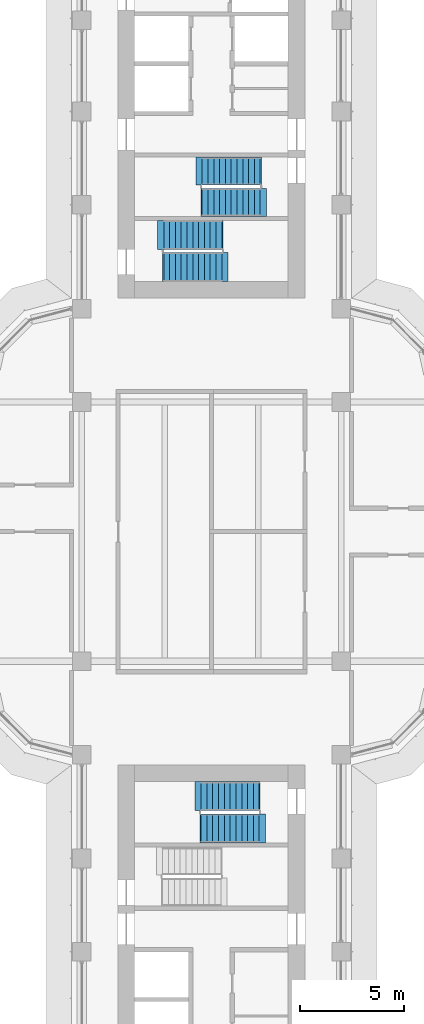
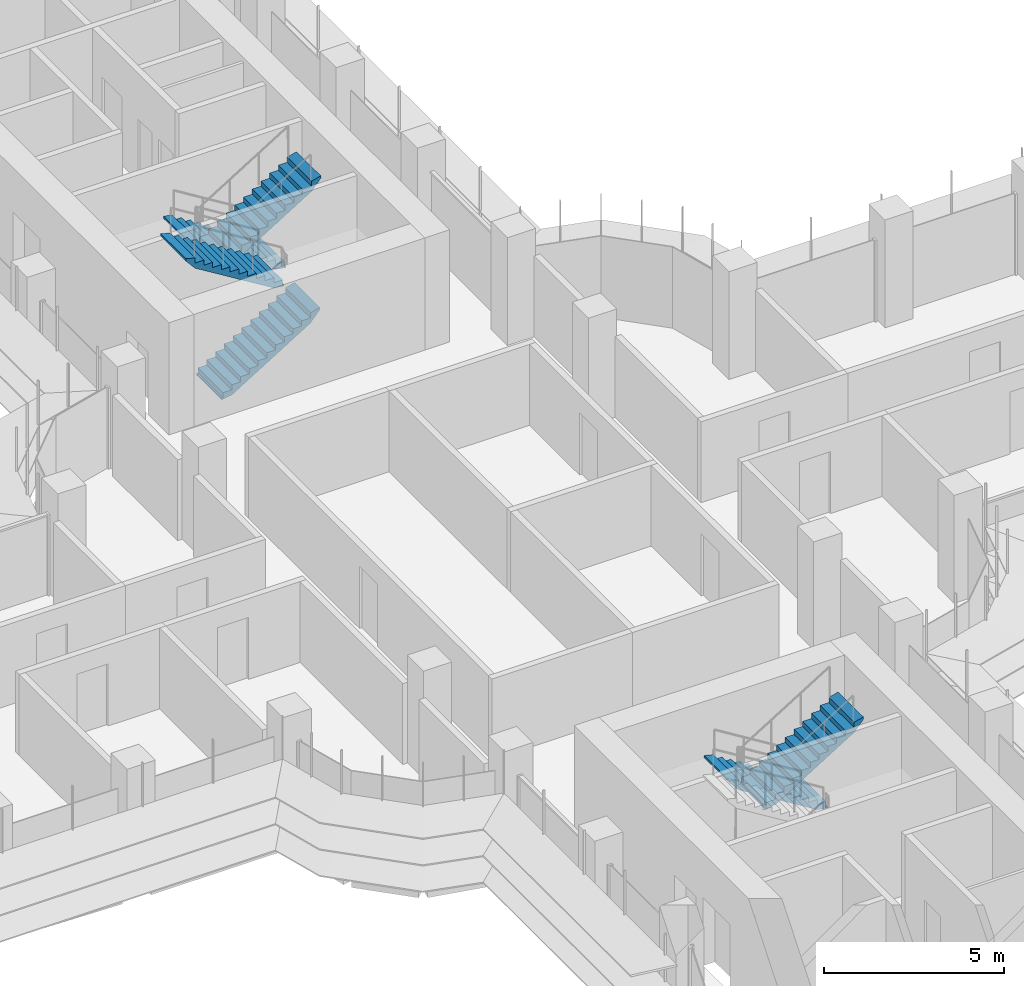
# One storey, part 18 of 22: 6 stair flights, 3 elements without a shape of their own.
"""IFC4 building model written with IfcOpenShell, lengths in metres."""

from ifc_helpers import new_model, si_unit, direction, frame, origin, place, context, subcontext, project, spatial, polyline, outline, extrude, material, type_object, element, aggregate, save


model = new_model("IFC4")

# Units and contexts
model_context = context("Model", 3, precision=1e-05, world=origin(), true_north=direction((0.0, 1.0)))
body_context = subcontext(model_context, "Body", "Model", "MODEL_VIEW")
ifc_project = project(units=[si_unit("LENGTHUNIT", "METRE"), si_unit("AREAUNIT", "SQUARE_METRE"), si_unit("VOLUMEUNIT", "CUBIC_METRE"), si_unit("PLANEANGLEUNIT", "RADIAN"), si_unit("MASSUNIT", "GRAM", prefix="KILO")], contexts=[model_context])

# Site, building, storey
site_placement = place(None, origin())
site = spatial("IfcSite", under=ifc_project, at=site_placement, CompositionType="ELEMENT")
building_placement = place(site_placement, origin())
building = spatial("IfcBuilding", under=site, at=building_placement, Name="Zarbagh Exchange Tower", CompositionType="ELEMENT")
storey_placement = place(building_placement, frame((0.0, 0.0, 101.800048828125)))
storey = spatial("IfcBuildingStorey", under=building, at=storey_placement, Name="L23", CompositionType="ELEMENT", Elevation=101.800048828125)

# Stair, stair flights
ifc_material = material(Name="Concrete C40/50", Category="concrete")
stair_type = type_object("IfcStairType", Name="Exit stair two-flight half-turn", PredefinedType="HALF_TURN_STAIR", material=ifc_material)
stair_1_placement = place(storey_placement, origin())
stair_1 = element("IfcStair", 1, at=stair_1_placement, inside=storey, type_object=stair_type, Name="exit stair ST1", PredefinedType="HALF_TURN_STAIR")
stair_flight_type_1 = type_object("IfcStairFlightType", Name="Stair flight 1350 mm", PredefinedType="STRAIGHT", material=ifc_material)
stair_flight_1_placement = place(storey_placement, frame((2.35009765625, 17.375, 0.0), z_axis=(0.0, 0.0, 1.0), x_axis=(-1.0, 0.0, 0.0)))
stair_flight_1 = element("IfcStairFlight", 2, at=stair_flight_1_placement, type_object=stair_flight_type_1, Name="ST1 flight 1", NumberOfRisers=11, NumberOfTreads=10, PredefinedType="STRAIGHT", RiserHeight=0.172727273, TreadLength=0.28, context=body_context, shape_type="SweptSolid", body=[
    extrude(outline(polyline([(-0.050048828125, -0.050048828125), (-0.050048828125, 0.0), (0.0, 0.0), (0.0, 0.172607421875), (0.280029296875, 0.172607421875), (0.280029296875, 0.345458984375), (0.56005859375, 0.345458984375), (0.56005859375, 0.51806640625), (0.840087890625, 0.51806640625), (0.840087890625, 0.69091796875), (1.1201171875, 0.69091796875), (1.1201171875, 0.863525390625), (1.39990234375, 0.863525390625), (1.39990234375, 1.036376953125), (1.679931640625, 1.036376953125), (1.679931640625, 1.208984375), (1.9599609375, 1.208984375), (1.9599609375, 1.3818359375), (2.239990234375, 1.3818359375), (2.239990234375, 1.554443359375), (2.52001953125, 1.554443359375), (2.52001953125, 1.727294921875), (2.800048828125, 1.727294921875), (2.800048828125, 1.89990234375), (3.10009765625, 1.97998046875), (3.10009765625, 1.89990234375), (2.800048828125, 1.551025390625), (0.285400390625, 0.0), (-0.050048828125, -0.050048828125)])), frame((0.0, 0.675048828125, 0.0), z_axis=(0.0, -1.0, 0.0), x_axis=(1.0, 0.0, 0.0)), (0.0, 0.0, 1.0), 1.35009765625),
])
stair_flight_2_placement = place(storey_placement, frame((-0.449951171875, 15.875, 1.89990234375), z_axis=(0.0, 0.0, 1.0), x_axis=(1.0, 0.0, 0.0)))
stair_flight_2 = element("IfcStairFlight", 3, at=stair_flight_2_placement, type_object=stair_flight_type_1, Name="ST1 flight 2", NumberOfRisers=11, NumberOfTreads=10, PredefinedType="STRAIGHT", RiserHeight=0.172727273, TreadLength=0.28, context=body_context, shape_type="SweptSolid", body=[
    extrude(outline(polyline([(-0.050048828125, -0.050048828125), (-0.050048828125, 0.0), (0.0, 0.0), (0.0, 0.172607421875), (0.280029296875, 0.172607421875), (0.280029296875, 0.345458984375), (0.56005859375, 0.345458984375), (0.56005859375, 0.51806640625), (0.840087890625, 0.51806640625), (0.840087890625, 0.69091796875), (1.1201171875, 0.69091796875), (1.1201171875, 0.863525390625), (1.39990234375, 0.863525390625), (1.39990234375, 1.036376953125), (1.679931640625, 1.036376953125), (1.679931640625, 1.208984375), (1.9599609375, 1.208984375), (1.9599609375, 1.3818359375), (2.239990234375, 1.3818359375), (2.239990234375, 1.554443359375), (2.52001953125, 1.554443359375), (2.52001953125, 1.727294921875), (2.800048828125, 1.727294921875), (2.800048828125, 1.89990234375), (3.10009765625, 1.97998046875), (3.10009765625, 1.89990234375), (2.800048828125, 1.551025390625), (0.285400390625, 0.0), (-0.050048828125, -0.050048828125)])), frame((0.0, 0.675048828125, 0.0), z_axis=(0.0, -1.0, 0.0), x_axis=(1.0, 0.0, 0.0)), (0.0, 0.0, 1.0), 1.35009765625),
])
aggregate(stair_1, [stair_flight_1, stair_flight_2])

stair_2_placement = place(storey_placement, origin())
stair_2 = element("IfcStair", 4, at=stair_2_placement, inside=storey, type_object=stair_type, Name="exit stair ST2", PredefinedType="HALF_TURN_STAIR")
stair_flight_type_2 = type_object("IfcStairFlightType", Name="Stair flight 1400 mm", PredefinedType="STRAIGHT", material=ifc_material)
stair_flight_3_placement = place(storey_placement, frame((-2.300048828125, 12.75, 0.0), z_axis=(0.0, 0.0, 1.0), x_axis=(1.0, 0.0, 0.0)))
stair_flight_3 = element("IfcStairFlight", 5, at=stair_flight_3_placement, type_object=stair_flight_type_2, Name="ST2 flight 1", NumberOfRisers=11, NumberOfTreads=10, PredefinedType="STRAIGHT", RiserHeight=0.172727273, TreadLength=0.28, context=body_context, shape_type="SweptSolid", body=[
    extrude(outline(polyline([(-0.050048828125, -0.050048828125), (-0.050048828125, 0.0), (0.0, 0.0), (0.0, 0.172607421875), (0.280029296875, 0.172607421875), (0.280029296875, 0.345458984375), (0.56005859375, 0.345458984375), (0.56005859375, 0.51806640625), (0.840087890625, 0.51806640625), (0.840087890625, 0.69091796875), (1.1201171875, 0.69091796875), (1.1201171875, 0.863525390625), (1.39990234375, 0.863525390625), (1.39990234375, 1.036376953125), (1.679931640625, 1.036376953125), (1.679931640625, 1.208984375), (1.9599609375, 1.208984375), (1.9599609375, 1.3818359375), (2.239990234375, 1.3818359375), (2.239990234375, 1.554443359375), (2.52001953125, 1.554443359375), (2.52001953125, 1.727294921875), (2.800048828125, 1.727294921875), (2.800048828125, 1.89990234375), (3.10009765625, 1.97998046875), (3.10009765625, 1.89990234375), (2.800048828125, 1.551025390625), (0.285400390625, 0.0), (-0.050048828125, -0.050048828125)])), frame((0.0, 0.699951171875, 0.0), z_axis=(0.0, -1.0, 0.0), x_axis=(1.0, 0.0, 0.0)), (0.0, 0.0, 1.0), 1.39990234375),
])
stair_flight_4_placement = place(storey_placement, frame((0.5, 14.300048828125, 1.89990234375), z_axis=(0.0, 0.0, 1.0), x_axis=(-1.0, 0.0, 0.0)))
stair_flight_4 = element("IfcStairFlight", 6, at=stair_flight_4_placement, type_object=stair_flight_type_2, Name="ST2 flight 2", NumberOfRisers=11, NumberOfTreads=10, PredefinedType="STRAIGHT", RiserHeight=0.172727273, TreadLength=0.28, context=body_context, shape_type="SweptSolid", body=[
    extrude(outline(polyline([(-0.050048828125, -0.050048828125), (-0.050048828125, 0.0), (0.0, 0.0), (0.0, 0.172607421875), (0.280029296875, 0.172607421875), (0.280029296875, 0.345458984375), (0.56005859375, 0.345458984375), (0.56005859375, 0.51806640625), (0.840087890625, 0.51806640625), (0.840087890625, 0.69091796875), (1.1201171875, 0.69091796875), (1.1201171875, 0.863525390625), (1.39990234375, 0.863525390625), (1.39990234375, 1.036376953125), (1.679931640625, 1.036376953125), (1.679931640625, 1.208984375), (1.9599609375, 1.208984375), (1.9599609375, 1.3818359375), (2.239990234375, 1.3818359375), (2.239990234375, 1.554443359375), (2.52001953125, 1.554443359375), (2.52001953125, 1.727294921875), (2.800048828125, 1.727294921875), (2.800048828125, 1.89990234375), (3.10009765625, 1.97998046875), (3.10009765625, 1.89990234375), (2.800048828125, 1.551025390625), (0.285400390625, 0.0), (-0.050048828125, -0.050048828125)])), frame((0.0, 0.699951171875, 0.0), z_axis=(0.0, -1.0, 0.0), x_axis=(1.0, 0.0, 0.0)), (0.0, 0.0, 1.0), 1.39990234375),
])
aggregate(stair_2, [stair_flight_3, stair_flight_4])

stair_3_placement = place(storey_placement, origin())
stair_3 = element("IfcStair", 7, at=stair_3_placement, inside=storey, type_object=stair_type, Name="exit stair ST4", PredefinedType="HALF_TURN_STAIR")
stair_flight_5_placement = place(storey_placement, frame((2.300048828125, -12.75, 0.0), z_axis=(0.0, 0.0, 1.0), x_axis=(-1.0, 0.0, 0.0)))
stair_flight_5 = element("IfcStairFlight", 8, at=stair_flight_5_placement, type_object=stair_flight_type_2, Name="ST4 flight 1", NumberOfRisers=11, NumberOfTreads=10, PredefinedType="STRAIGHT", RiserHeight=0.172727273, TreadLength=0.28, context=body_context, shape_type="SweptSolid", body=[
    extrude(outline(polyline([(-0.050048828125, -0.050048828125), (-0.050048828125, 0.0), (0.0, 0.0), (0.0, 0.172607421875), (0.280029296875, 0.172607421875), (0.280029296875, 0.345458984375), (0.56005859375, 0.345458984375), (0.56005859375, 0.51806640625), (0.840087890625, 0.51806640625), (0.840087890625, 0.69091796875), (1.1201171875, 0.69091796875), (1.1201171875, 0.863525390625), (1.39990234375, 0.863525390625), (1.39990234375, 1.036376953125), (1.679931640625, 1.036376953125), (1.679931640625, 1.208984375), (1.9599609375, 1.208984375), (1.9599609375, 1.3818359375), (2.239990234375, 1.3818359375), (2.239990234375, 1.554443359375), (2.52001953125, 1.554443359375), (2.52001953125, 1.727294921875), (2.800048828125, 1.727294921875), (2.800048828125, 1.89990234375), (3.10009765625, 1.97998046875), (3.10009765625, 1.89990234375), (2.800048828125, 1.551025390625), (0.285400390625, 0.0), (-0.050048828125, -0.050048828125)])), frame((0.0, 0.699951171875, 0.0), z_axis=(0.0, -1.0, 0.0), x_axis=(1.0, 0.0, 0.0)), (0.0, 0.0, 1.0), 1.39990234375),
])
stair_flight_6_placement = place(storey_placement, frame((-0.5, -14.300048828125, 1.89990234375), z_axis=(0.0, 0.0, 1.0), x_axis=(1.0, 0.0, 0.0)))
stair_flight_6 = element("IfcStairFlight", 9, at=stair_flight_6_placement, type_object=stair_flight_type_2, Name="ST4 flight 2", NumberOfRisers=11, NumberOfTreads=10, PredefinedType="STRAIGHT", RiserHeight=0.172727273, TreadLength=0.28, context=body_context, shape_type="SweptSolid", body=[
    extrude(outline(polyline([(-0.050048828125, -0.050048828125), (-0.050048828125, 0.0), (0.0, 0.0), (0.0, 0.172607421875), (0.280029296875, 0.172607421875), (0.280029296875, 0.345458984375), (0.56005859375, 0.345458984375), (0.56005859375, 0.51806640625), (0.840087890625, 0.51806640625), (0.840087890625, 0.69091796875), (1.1201171875, 0.69091796875), (1.1201171875, 0.863525390625), (1.39990234375, 0.863525390625), (1.39990234375, 1.036376953125), (1.679931640625, 1.036376953125), (1.679931640625, 1.208984375), (1.9599609375, 1.208984375), (1.9599609375, 1.3818359375), (2.239990234375, 1.3818359375), (2.239990234375, 1.554443359375), (2.52001953125, 1.554443359375), (2.52001953125, 1.727294921875), (2.800048828125, 1.727294921875), (2.800048828125, 1.89990234375), (3.10009765625, 1.97998046875), (3.10009765625, 1.89990234375), (2.800048828125, 1.551025390625), (0.285400390625, 0.0), (-0.050048828125, -0.050048828125)])), frame((0.0, 0.699951171875, 0.0), z_axis=(0.0, -1.0, 0.0), x_axis=(1.0, 0.0, 0.0)), (0.0, 0.0, 1.0), 1.39990234375),
])
aggregate(stair_3, [stair_flight_5, stair_flight_6])

save(model, "model.ifc")
